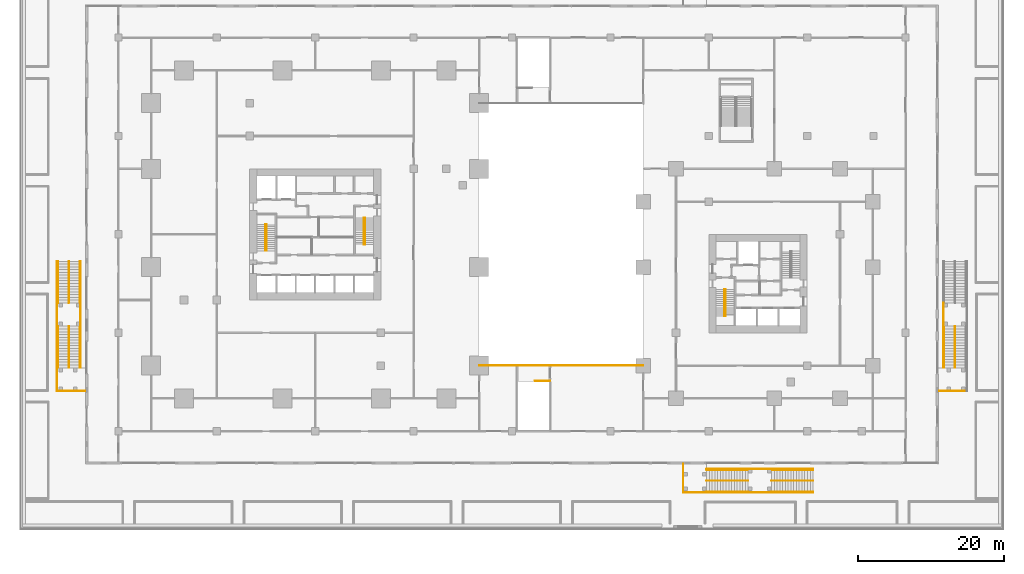
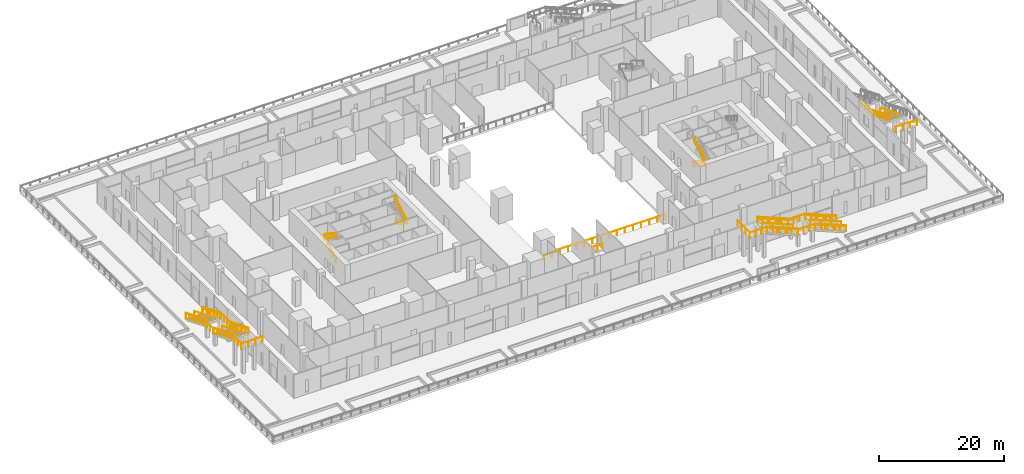
# One storey, part 44 of 49: 41 railings.
"""IFC4 building model written with IfcOpenShell, lengths in metres."""

from ifc_helpers import new_model, si_unit, direction, frame, origin, origin_2d, place, context, subcontext, project, spatial, circle, extrude, source, transform, mapped, material, type_object, element, save


model = new_model("IFC4")

# Units and contexts
model_context = context("Model", 3, precision=1e-05, world=origin(), true_north=direction((0.0, 1.0)))
body_context = subcontext(model_context, "Body", "Model", "MODEL_VIEW")
ifc_project = project(units=[si_unit("LENGTHUNIT", "METRE"), si_unit("AREAUNIT", "SQUARE_METRE"), si_unit("VOLUMEUNIT", "CUBIC_METRE"), si_unit("PLANEANGLEUNIT", "RADIAN"), si_unit("MASSUNIT", "GRAM", prefix="KILO")], contexts=[model_context])

# Site, building, storey
site_placement = place(None, origin())
site = spatial("IfcSite", under=ifc_project, at=site_placement, CompositionType="ELEMENT")
building_placement = place(site_placement, origin())
building = spatial("IfcBuilding", under=site, at=building_placement, Name="Altepetl Exchange Towers", CompositionType="ELEMENT")
storey_placement = place(building_placement, frame((0.0, 0.0, 11.5)))
storey = spatial("IfcBuildingStorey", under=building, at=storey_placement, Name="L02 Exchange podium", CompositionType="ELEMENT", Elevation=11.5)

# Railings
ifc_material_1 = material(Name="Steel", Category="steel")
railing_type_1 = type_object("IfcRailingType", Name="Stair handrail 50 steel tube", PredefinedType="HANDRAIL", material=ifc_material_1)
shared_shape_1 = source(origin(), body_context, "Body", "SweptSolid", [
    extrude(circle(Radius=0.02099609375, at=origin_2d()), origin(), (0.0, 0.0, 1.0), 0.851806640625),
])
railing_1_placement = place(storey_placement, frame((42.669921875, 47.25, 0.1787109375)))
element("IfcRailing", 1, at=railing_1_placement, inside=storey, type_object=railing_type_1, Name="Stair handrail", PredefinedType="HANDRAIL", context=body_context, shape_type="SweptSolid", body=[
    extrude(circle(Radius=0.02392578125, at=origin_2d()), frame((0.0, 0.0, 0.8759765625), z_axis=(0.0, 0.843137146238, 0.537698570422), x_axis=(-1.0, 0.0, 0.0)), (0.0, 0.0, 1.0), 4.317138671875),
    mapped(shared_shape_1, transform((0.0, 0.0, 0.0))),
    mapped(shared_shape_1, transform((0.0, 0.909912109375, 0.580322265625))),
    mapped(shared_shape_1, transform((0.0, 1.81982421875, 1.16064453125))),
    mapped(shared_shape_1, transform((0.0, 2.72998046875, 1.740966796875))),
    mapped(shared_shape_1, transform((0.0, 3.639892578125, 2.3212890625))),
])
for number, where, name in (
    (2, (42.830078125, 50.889892578125, 2.6787109375), "Stair handrail"),
    (3, (56.330078125, 51.75, 0.1787109375), "Stair handrail"),
):
    element("IfcRailing", number, at=place(storey_placement, frame(where)), inside=storey, type_object=railing_type_1, Name=name, PredefinedType="HANDRAIL", context=body_context, shape_type="SweptSolid", body=[
        extrude(circle(Radius=0.02392578125, at=origin_2d()), frame((0.0, 0.0, 0.8759765625), z_axis=(0.0, -0.843137146238, 0.537698570422), x_axis=(1.0, 0.0, 0.0)), (0.0, 0.0, 1.0), 4.317138671875),
        mapped(shared_shape_1, transform((0.0, 0.0, 0.0))),
        mapped(shared_shape_1, transform((0.0, -0.909912109375, 0.580322265625))),
        mapped(shared_shape_1, transform((0.0, -1.81982421875, 1.16064453125))),
        mapped(shared_shape_1, transform((0.0, -2.72998046875, 1.740966796875))),
        mapped(shared_shape_1, transform((0.0, -3.639892578125, 2.3212890625))),
    ])
railing_2_placement = place(storey_placement, frame((56.169921875, 48.110107421875, 2.6787109375)))
element("IfcRailing", 4, at=railing_2_placement, inside=storey, type_object=railing_type_1, Name="Stair handrail", PredefinedType="HANDRAIL", context=body_context, shape_type="SweptSolid", body=[
    extrude(circle(Radius=0.02392578125, at=origin_2d()), frame((0.0, 0.0, 0.8759765625), z_axis=(0.0, 0.843137146238, 0.537698570422), x_axis=(-1.0, 0.0, 0.0)), (0.0, 0.0, 1.0), 4.317138671875),
    mapped(shared_shape_1, transform((0.0, 0.0, 0.0))),
    mapped(shared_shape_1, transform((0.0, 0.909912109375, 0.580322265625))),
    mapped(shared_shape_1, transform((0.0, 1.81982421875, 1.16064453125))),
    mapped(shared_shape_1, transform((0.0, 2.72998046875, 1.740966796875))),
    mapped(shared_shape_1, transform((0.0, 3.639892578125, 2.3212890625))),
])
railing_3_placement = place(storey_placement, frame((105.669921875, 41.949951171875, 0.1787109375)))
element("IfcRailing", 5, at=railing_3_placement, inside=storey, type_object=railing_type_1, Name="Stair handrail", PredefinedType="HANDRAIL", context=body_context, shape_type="SweptSolid", body=[
    extrude(circle(Radius=0.02392578125, at=origin_2d()), frame((0.0, 0.0, 0.8759765625), z_axis=(0.0, -0.843137146238, 0.537698570422), x_axis=(1.0, 0.0, 0.0)), (0.0, 0.0, 1.0), 4.317138671875),
    mapped(shared_shape_1, transform((0.0, 0.0, 0.0))),
    mapped(shared_shape_1, transform((0.0, -0.909912109375, 0.580322265625))),
    mapped(shared_shape_1, transform((0.0, -1.81982421875, 1.16064453125))),
    mapped(shared_shape_1, transform((0.0, -2.72998046875, 1.740966796875))),
    mapped(shared_shape_1, transform((0.0, -3.639892578125, 2.3212890625))),
])
railing_4_placement = place(storey_placement, frame((105.830078125, 38.31005859375, 2.6787109375)))
element("IfcRailing", 6, at=railing_4_placement, inside=storey, type_object=railing_type_1, Name="Stair handrail", PredefinedType="HANDRAIL", context=body_context, shape_type="SweptSolid", body=[
    extrude(circle(Radius=0.02392578125, at=origin_2d()), frame((0.0, 0.0, 0.8759765625), z_axis=(0.0, 0.843137146238, 0.537698570422), x_axis=(-1.0, 0.0, 0.0)), (0.0, 0.0, 1.0), 4.317138671875),
    mapped(shared_shape_1, transform((0.0, 0.0, 0.0))),
    mapped(shared_shape_1, transform((0.0, 0.909912109375, 0.580322265625))),
    mapped(shared_shape_1, transform((0.0, 1.81982421875, 1.16064453125))),
    mapped(shared_shape_1, transform((0.0, 2.72998046875, 1.740966796875))),
    mapped(shared_shape_1, transform((0.0, 3.639892578125, 2.3212890625))),
])
ifc_material_2 = material(Name="Laminated glass and steel", Category="steel")
railing_type_2 = type_object("IfcRailingType", Name="Hall gallery guard 1100", PredefinedType="GUARDRAIL", material=ifc_material_2)
shared_shape_2 = source(origin(), body_context, "Body", "SweptSolid", [
    extrude(circle(Radius=0.02001953125, at=origin_2d()), origin(), (0.0, 0.0, 1.0), 1.050048828125),
])
railing_5_placement = place(storey_placement, frame((81.699951171875, 29.39990234375, 0.0)))
element("IfcRailing", 7, at=railing_5_placement, inside=storey, type_object=railing_type_2, Name="rail:P:L02:PX1top", PredefinedType="GUARDRAIL", context=body_context, shape_type="SweptSolid", body=[
    extrude(circle(Radius=0.02490234375, at=origin_2d()), frame((0.0, 0.0, 1.0751953125), z_axis=(-1.0, 0.0, 0.0), x_axis=(0.0, -1.0, 0.0)), (0.0, 0.0, 1.0), 2.02490234375),
    mapped(shared_shape_2, transform((0.0, 0.0, 0.0))),
    mapped(shared_shape_2, transform((-1.012451171875, 0.0, 0.0))),
    mapped(shared_shape_2, transform((-2.02490234375, 0.0, 0.0))),
])
railing_6_placement = place(storey_placement, frame((72.0, 31.5, 0.0)))
element("IfcRailing", 8, at=railing_6_placement, inside=storey, type_object=railing_type_2, Name="rail:P:L02:hallS", PredefinedType="GUARDRAIL", context=body_context, shape_type="SweptSolid", body=[
    extrude(circle(Radius=0.02490234375, at=origin_2d()), frame((0.0, 0.0, 1.0751953125), z_axis=(1.0, 0.0, 0.0), x_axis=(0.0, 1.0, 0.0)), (0.0, 0.0, 1.0), 22.5),
    mapped(shared_shape_2, transform((0.0, 0.0, 0.0))),
    mapped(shared_shape_2, transform((1.5, 0.0, 0.0))),
    mapped(shared_shape_2, transform((3.0, 0.0, 0.0))),
    mapped(shared_shape_2, transform((4.5, 0.0, 0.0))),
    mapped(shared_shape_2, transform((6.0, 0.0, 0.0))),
    mapped(shared_shape_2, transform((7.5, 0.0, 0.0))),
    mapped(shared_shape_2, transform((9.0, 0.0, 0.0))),
    mapped(shared_shape_2, transform((10.5, 0.0, 0.0))),
    mapped(shared_shape_2, transform((12.0, 0.0, 0.0))),
    mapped(shared_shape_2, transform((13.5, 0.0, 0.0))),
    mapped(shared_shape_2, transform((15.0, 0.0, 0.0))),
    mapped(shared_shape_2, transform((16.5, 0.0, 0.0))),
    mapped(shared_shape_2, transform((18.0, 0.0, 0.0))),
    mapped(shared_shape_2, transform((19.5, 0.0, 0.0))),
    mapped(shared_shape_2, transform((21.0, 0.0, 0.0))),
    mapped(shared_shape_2, transform((22.5, 0.0, 0.0))),
])
for number, where, name in (
    (9, (108.89990234375, 14.10009765625, 2.65625), "rail:P:L02:R3flightA"),
    (10, (108.89990234375, 17.300048828125, 2.65625), "rail:P:L02:R3flightA_in"),
    (11, (117.800048828125, 14.10009765625, 0.15625), "rail:P:L02:R3flightB"),
    (12, (117.800048828125, 17.300048828125, 0.15625), "rail:P:L02:R3flightB_in"),
):
    element("IfcRailing", number, at=place(storey_placement, frame(where)), inside=storey, type_object=railing_type_2, Name=name, PredefinedType="GUARDRAIL", context=body_context, shape_type="SweptSolid", body=[
        extrude(circle(Radius=0.02490234375, at=origin_2d()), frame((0.0, 0.0, 1.0751953125), z_axis=(-0.924865858958, 0.0, 0.380293495781), x_axis=(0.0, -1.0, 0.0)), (0.0, 0.0, 1.0), 6.1630859375),
        mapped(shared_shape_2, transform((0.0, 0.0, 0.0))),
        mapped(shared_shape_2, transform((-1.139892578125, 0.0, 0.46875))),
        mapped(shared_shape_2, transform((-2.280029296875, 0.0, 0.9375))),
        mapped(shared_shape_2, transform((-3.419921875, 0.0, 1.40625))),
        mapped(shared_shape_2, transform((-4.56005859375, 0.0, 1.875))),
        mapped(shared_shape_2, transform((-5.699951171875, 0.0, 2.34375))),
    ])
for number, where, name in (
    (13, (108.89990234375, 14.10009765625, 2.5), "rail:P:L02:R3mid"),
    (14, (108.89990234375, 17.300048828125, 2.5), "rail:P:L02:R3mid_in"),
):
    element("IfcRailing", number, at=place(storey_placement, frame(where)), inside=storey, type_object=railing_type_2, Name=name, PredefinedType="GUARDRAIL", context=body_context, shape_type="SweptSolid", body=[
        extrude(circle(Radius=0.02490234375, at=origin_2d()), frame((0.0, 0.0, 1.0751953125), z_axis=(1.0, 0.0, 0.0), x_axis=(0.0, 1.0, 0.0)), (0.0, 0.0, 1.0), 3.2001953125),
        mapped(shared_shape_2, transform((0.0, 0.0, 0.0))),
        mapped(shared_shape_2, transform((1.066650390625, 0.0, 0.0))),
        mapped(shared_shape_2, transform((2.133544921875, 0.0, 0.0))),
        mapped(shared_shape_2, transform((3.2001953125, 0.0, 0.0))),
    ])
railing_7_placement = place(storey_placement, frame((100.0, 18.0, 5.0)))
element("IfcRailing", 15, at=railing_7_placement, inside=storey, type_object=railing_type_2, Name="rail:P:L02:R3platform_end", PredefinedType="GUARDRAIL", context=body_context, shape_type="SweptSolid", body=[
    extrude(circle(Radius=0.02490234375, at=origin_2d()), frame((0.0, 0.0, 1.0751953125), z_axis=(0.0, -1.0, 0.0), x_axis=(1.0, 0.0, 0.0)), (0.0, 0.0, 1.0), 3.89990234375),
    mapped(shared_shape_2, transform((0.0, 0.0, 0.0))),
    mapped(shared_shape_2, transform((0.0, -1.300048828125, 0.0))),
    mapped(shared_shape_2, transform((0.0, -2.599853515625, 0.0))),
    mapped(shared_shape_2, transform((0.0, -3.89990234375, 0.0))),
])
railing_8_placement = place(storey_placement, frame((100.0, 14.10009765625, 5.0)))
element("IfcRailing", 16, at=railing_8_placement, inside=storey, type_object=railing_type_2, Name="rail:P:L02:R3platform_out", PredefinedType="GUARDRAIL", context=body_context, shape_type="SweptSolid", body=[
    extrude(circle(Radius=0.02490234375, at=origin_2d()), frame((0.0, 0.0, 1.0751953125), z_axis=(1.0, 0.0, 0.0), x_axis=(0.0, 1.0, 0.0)), (0.0, 0.0, 1.0), 3.199951171875),
    mapped(shared_shape_2, transform((0.0, 0.0, 0.0))),
    mapped(shared_shape_2, transform((1.066650390625, 0.0, 0.0))),
    mapped(shared_shape_2, transform((2.13330078125, 0.0, 0.0))),
    mapped(shared_shape_2, transform((3.199951171875, 0.0, 0.0))),
])
for number, where, name in (
    (17, (14.10009765625, 36.89990234375, 2.65625), "rail:P:L02:R5flightA"),
    (18, (17.300048828125, 36.89990234375, 2.65625), "rail:P:L02:R5flightA_in"),
    (19, (14.10009765625, 45.800048828125, 0.15625), "rail:P:L02:R5flightB"),
    (20, (17.300048828125, 45.800048828125, 0.15625), "rail:P:L02:R5flightB_in"),
):
    element("IfcRailing", number, at=place(storey_placement, frame(where)), inside=storey, type_object=railing_type_2, Name=name, PredefinedType="GUARDRAIL", context=body_context, shape_type="SweptSolid", body=[
        extrude(circle(Radius=0.02490234375, at=origin_2d()), frame((0.0, 0.0, 1.0751953125), z_axis=(0.0, -0.924865858958, 0.380293495781), x_axis=(1.0, 0.0, 0.0)), (0.0, 0.0, 1.0), 6.1630859375),
        mapped(shared_shape_2, transform((0.0, 0.0, 0.0))),
        mapped(shared_shape_2, transform((0.0, -1.139892578125, 0.46875))),
        mapped(shared_shape_2, transform((0.0, -2.280029296875, 0.9375))),
        mapped(shared_shape_2, transform((0.0, -3.419921875, 1.40625))),
        mapped(shared_shape_2, transform((0.0, -4.56005859375, 1.875))),
        mapped(shared_shape_2, transform((0.0, -5.699951171875, 2.34375))),
    ])
for number, where, name in (
    (21, (14.10009765625, 36.89990234375, 2.5), "rail:P:L02:R5mid"),
    (22, (17.300048828125, 36.89990234375, 2.5), "rail:P:L02:R5mid_in"),
):
    element("IfcRailing", number, at=place(storey_placement, frame(where)), inside=storey, type_object=railing_type_2, Name=name, PredefinedType="GUARDRAIL", context=body_context, shape_type="SweptSolid", body=[
        extrude(circle(Radius=0.02490234375, at=origin_2d()), frame((0.0, 0.0, 1.0751953125), z_axis=(0.0, 1.0, 0.0), x_axis=(-1.0, 0.0, 0.0)), (0.0, 0.0, 1.0), 3.2001953125),
        mapped(shared_shape_2, transform((0.0, 0.0, 0.0))),
        mapped(shared_shape_2, transform((0.0, 1.066650390625, 0.0))),
        mapped(shared_shape_2, transform((0.0, 2.133544921875, 0.0))),
        mapped(shared_shape_2, transform((0.0, 3.2001953125, 0.0))),
    ])
railing_9_placement = place(storey_placement, frame((18.0, 28.0, 5.0)))
element("IfcRailing", 23, at=railing_9_placement, inside=storey, type_object=railing_type_2, Name="rail:P:L02:R5platform_end", PredefinedType="GUARDRAIL", context=body_context, shape_type="SweptSolid", body=[
    extrude(circle(Radius=0.02490234375, at=origin_2d()), frame((0.0, 0.0, 1.0751953125), z_axis=(-1.0, 0.0, 0.0), x_axis=(0.0, -1.0, 0.0)), (0.0, 0.0, 1.0), 3.89990234375),
    mapped(shared_shape_2, transform((0.0, 0.0, 0.0))),
    mapped(shared_shape_2, transform((-1.300048828125, 0.0, 0.0))),
    mapped(shared_shape_2, transform((-2.599853515625, 0.0, 0.0))),
    mapped(shared_shape_2, transform((-3.89990234375, 0.0, 0.0))),
])
railing_10_placement = place(storey_placement, frame((14.10009765625, 28.0, 5.0)))
element("IfcRailing", 24, at=railing_10_placement, inside=storey, type_object=railing_type_2, Name="rail:P:L02:R5platform_out", PredefinedType="GUARDRAIL", context=body_context, shape_type="SweptSolid", body=[
    extrude(circle(Radius=0.02490234375, at=origin_2d()), frame((0.0, 0.0, 1.0751953125), z_axis=(0.0, 1.0, 0.0), x_axis=(-1.0, 0.0, 0.0)), (0.0, 0.0, 1.0), 3.199951171875),
    mapped(shared_shape_2, transform((0.0, 0.0, 0.0))),
    mapped(shared_shape_2, transform((0.0, 1.066650390625, 0.0))),
    mapped(shared_shape_2, transform((0.0, 2.13330078125, 0.0))),
    mapped(shared_shape_2, transform((0.0, 3.199951171875, 0.0))),
])
railing_11_placement = place(storey_placement, frame((135.699951171875, 36.89990234375, 2.65625)))
element("IfcRailing", 25, at=railing_11_placement, inside=storey, type_object=railing_type_2, Name="rail:P:L02:R6flightA_in", PredefinedType="GUARDRAIL", context=body_context, shape_type="SweptSolid", body=[
    extrude(circle(Radius=0.02490234375, at=origin_2d()), frame((0.0, 0.0, 1.0751953125), z_axis=(0.0, -0.924865858958, 0.380293495781), x_axis=(1.0, 0.0, 0.0)), (0.0, 0.0, 1.0), 6.1630859375),
    mapped(shared_shape_2, transform((0.0, 0.0, 0.0))),
    mapped(shared_shape_2, transform((0.0, -1.139892578125, 0.46875))),
    mapped(shared_shape_2, transform((0.0, -2.280029296875, 0.9375))),
    mapped(shared_shape_2, transform((0.0, -3.419921875, 1.40625))),
    mapped(shared_shape_2, transform((0.0, -4.56005859375, 1.875))),
    mapped(shared_shape_2, transform((0.0, -5.699951171875, 2.34375))),
])
railing_12_placement = place(storey_placement, frame((135.699951171875, 36.89990234375, 2.5)))
element("IfcRailing", 26, at=railing_12_placement, inside=storey, type_object=railing_type_2, Name="rail:P:L02:R6mid_in", PredefinedType="GUARDRAIL", context=body_context, shape_type="SweptSolid", body=[
    extrude(circle(Radius=0.02490234375, at=origin_2d()), frame((0.0, 0.0, 1.0751953125), z_axis=(0.0, 1.0, 0.0), x_axis=(-1.0, 0.0, 0.0)), (0.0, 0.0, 1.0), 3.2001953125),
    mapped(shared_shape_2, transform((0.0, 0.0, 0.0))),
    mapped(shared_shape_2, transform((0.0, 1.066650390625, 0.0))),
    mapped(shared_shape_2, transform((0.0, 2.133544921875, 0.0))),
    mapped(shared_shape_2, transform((0.0, 3.2001953125, 0.0))),
])
railing_13_placement = place(storey_placement, frame((135.0, 28.0, 5.0)))
element("IfcRailing", 27, at=railing_13_placement, inside=storey, type_object=railing_type_2, Name="rail:P:L02:R6platform_end", PredefinedType="GUARDRAIL", context=body_context, shape_type="SweptSolid", body=[
    extrude(circle(Radius=0.02490234375, at=origin_2d()), frame((0.0, 0.0, 1.0751953125), z_axis=(1.0, 0.0, 0.0), x_axis=(0.0, 1.0, 0.0)), (0.0, 0.0, 1.0), 3.89990234375),
    mapped(shared_shape_2, transform((0.0, 0.0, 0.0))),
    mapped(shared_shape_2, transform((1.300048828125, 0.0, 0.0))),
    mapped(shared_shape_2, transform((2.599853515625, 0.0, 0.0))),
    mapped(shared_shape_2, transform((3.89990234375, 0.0, 0.0))),
])
ifc_material_3 = material(Name="Stainless steel", Category="steel")
railing_type_3 = type_object("IfcRailingType", Name="Stair handrail 900", PredefinedType="HANDRAIL", material=ifc_material_3)
shared_shape_3 = source(origin(), body_context, "Body", "SweptSolid", [
    extrude(circle(Radius=0.02001953125, at=origin_2d()), origin(), (0.0, 0.0, 1.0), 0.849853515625),
])
for number, where, name in (
    (28, (108.89990234375, 17.199951171875, 2.65625), "rail:P:L02:R3hA_in"),
    (29, (108.89990234375, 15.699951171875, 2.65625), "rail:P:L02:R3hA_mid"),
    (30, (108.89990234375, 14.199951171875, 2.65625), "rail:P:L02:R3hA_out"),
    (31, (117.800048828125, 17.199951171875, 0.15625), "rail:P:L02:R3hB_in"),
    (32, (117.800048828125, 15.699951171875, 0.15625), "rail:P:L02:R3hB_mid"),
    (33, (117.800048828125, 14.199951171875, 0.15625), "rail:P:L02:R3hB_out"),
):
    element("IfcRailing", number, at=place(storey_placement, frame(where)), inside=storey, type_object=railing_type_3, Name=name, PredefinedType="HANDRAIL", context=body_context, shape_type="SweptSolid", body=[
        extrude(circle(Radius=0.02490234375, at=origin_2d()), frame((0.0, 0.0, 0.875), z_axis=(-0.924865858958, 0.0, 0.380293495781), x_axis=(0.0, -1.0, 0.0)), (0.0, 0.0, 1.0), 6.1630859375),
        mapped(shared_shape_3, transform((0.0, 0.0, 0.0))),
        mapped(shared_shape_3, transform((-1.89990234375, 0.0, 0.78125))),
        mapped(shared_shape_3, transform((-3.800048828125, 0.0, 1.5625))),
        mapped(shared_shape_3, transform((-5.699951171875, 0.0, 2.34375))),
    ])
for number, where, name in (
    (34, (17.199951171875, 36.89990234375, 2.65625), "rail:P:L02:R5hA_in"),
    (35, (15.699951171875, 36.89990234375, 2.65625), "rail:P:L02:R5hA_mid"),
    (36, (14.199951171875, 36.89990234375, 2.65625), "rail:P:L02:R5hA_out"),
    (37, (17.199951171875, 45.800048828125, 0.15625), "rail:P:L02:R5hB_in"),
    (38, (15.699951171875, 45.800048828125, 0.15625), "rail:P:L02:R5hB_mid"),
    (39, (14.199951171875, 45.800048828125, 0.15625), "rail:P:L02:R5hB_out"),
    (40, (135.800048828125, 36.89990234375, 2.65625), "rail:P:L02:R6hA_in"),
    (41, (137.300048828125, 36.89990234375, 2.65625), "rail:P:L02:R6hA_mid"),
):
    element("IfcRailing", number, at=place(storey_placement, frame(where)), inside=storey, type_object=railing_type_3, Name=name, PredefinedType="HANDRAIL", context=body_context, shape_type="SweptSolid", body=[
        extrude(circle(Radius=0.02490234375, at=origin_2d()), frame((0.0, 0.0, 0.875), z_axis=(0.0, -0.924865858958, 0.380293495781), x_axis=(1.0, 0.0, 0.0)), (0.0, 0.0, 1.0), 6.1630859375),
        mapped(shared_shape_3, transform((0.0, 0.0, 0.0))),
        mapped(shared_shape_3, transform((0.0, -1.89990234375, 0.78125))),
        mapped(shared_shape_3, transform((0.0, -3.800048828125, 1.5625))),
        mapped(shared_shape_3, transform((0.0, -5.699951171875, 2.34375))),
    ])

save(model, "model.ifc")
